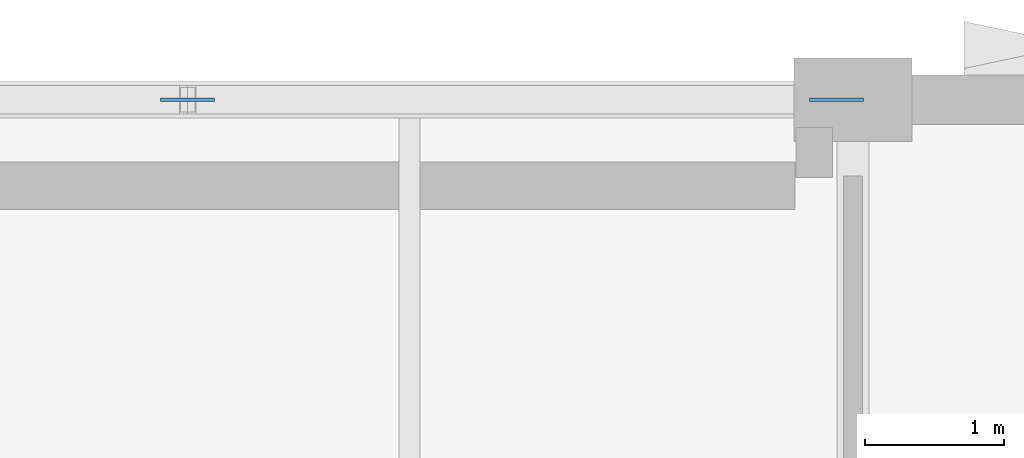
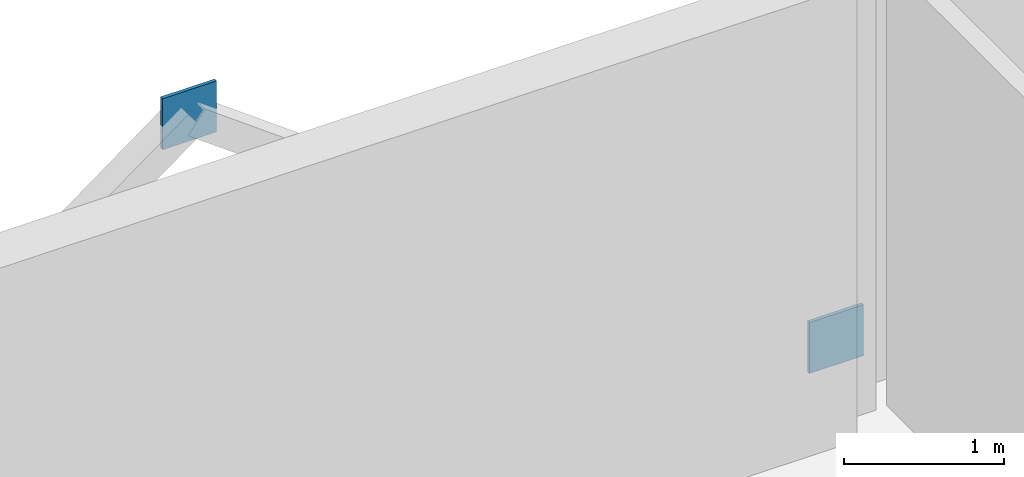
# One storey, part 53 of 86: 2 plates.
"""IFC4 building model written with IfcOpenShell, lengths in metres."""

from ifc_helpers import new_model, si_unit, direction, frame, origin, origin_2d, place, context, subcontext, project, spatial, rectangle, extrude, material, layer, layer_set, type_object, element, save


model = new_model("IFC4")

# Units and contexts
model_context = context("Model", 3, precision=1e-05, world=origin(), true_north=direction((0.0, 1.0)))
body_context = subcontext(model_context, "Body", "Model", "MODEL_VIEW")
ifc_project = project(units=[si_unit("LENGTHUNIT", "METRE"), si_unit("AREAUNIT", "SQUARE_METRE"), si_unit("VOLUMEUNIT", "CUBIC_METRE"), si_unit("PLANEANGLEUNIT", "RADIAN"), si_unit("MASSUNIT", "GRAM", prefix="KILO")], contexts=[model_context])

# Site, building, storey
site_placement = place(None, origin())
site = spatial("IfcSite", under=ifc_project, at=site_placement, CompositionType="ELEMENT")
building_placement = place(site_placement, origin())
building = spatial("IfcBuilding", under=site, at=building_placement, Name="Oolite Switchyard Hospital", CompositionType="ELEMENT")
storey_placement = place(building_placement, frame((0.0, 0.0, 13.5)))
storey = spatial("IfcBuildingStorey", under=building, at=storey_placement, Name="L03", CompositionType="ELEMENT", Elevation=13.5)

# Plates
ifc_material = material(Name="Steel ASTM A572 Grade 50", Category="steel")
ifc_layer = layer(ifc_material, 0.02587890625)
ifc_layer_set = layer_set([ifc_layer], Name="PLT-GUS-390")
plate_type = type_object("IfcPlateType", Name="PLT-GUS-390", PredefinedType="SHEET", material=ifc_layer_set)
for number, where, z_axis, x_axis, name in (
    (1, (191.8798828125, 134.39990234375, 0.0048828125), (0.0, 0.0, 1.0), (1.0, 0.0, 0.0), "L03 Brace Base Gusset Plate 77"),
    (2, (187.199951171875, 134.39990234375, 3.35498046875), (0.0, 0.0, 1.0), (1.0, 0.0, 0.0), "L03 Gusset Connection Plate 78"),
):
    element("IfcPlate", number, at=place(storey_placement, frame(where, z_axis=z_axis, x_axis=x_axis)), inside=storey, type_object=plate_type, Name=name, PredefinedType="SHEET", context=body_context, shape_type="SweptSolid", body=[
        extrude(rectangle(XDim=0.389892578125, YDim=0.02587890625, at=origin_2d()), origin(), (0.0, 0.0, 1.0), 0.389892578125),
    ])

save(model, "model.ifc")
